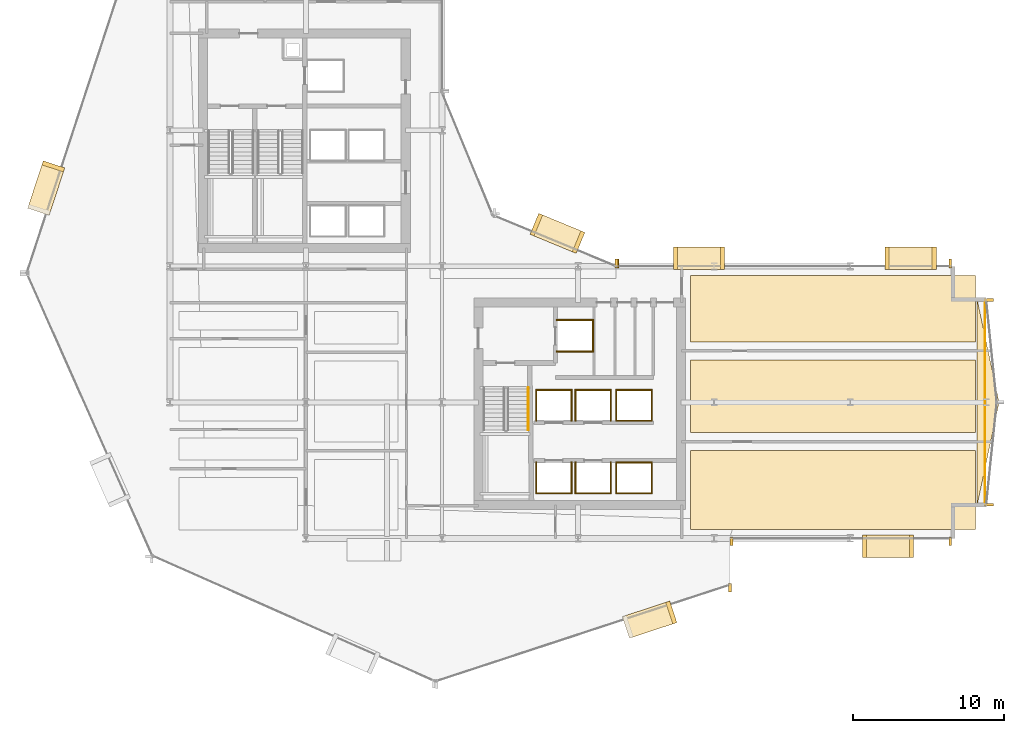
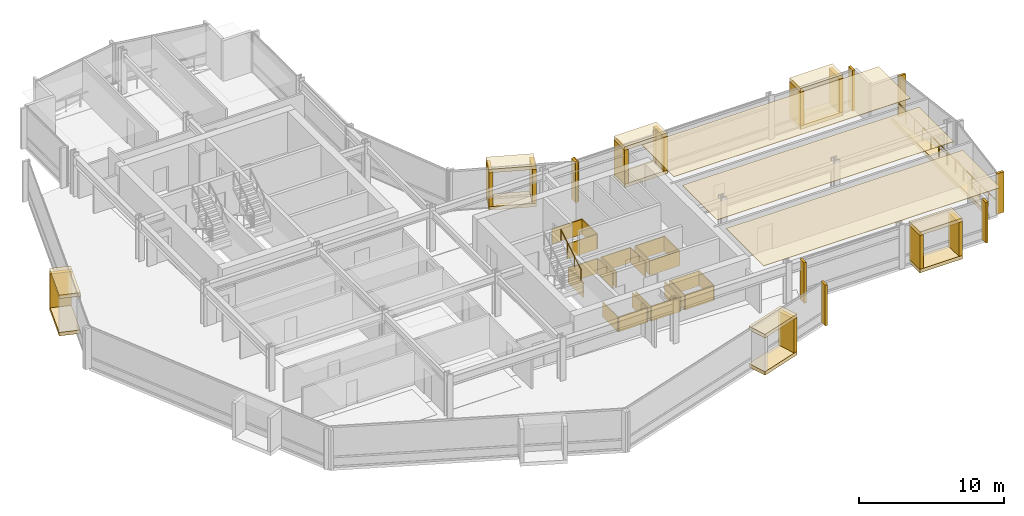
# One storey, part 32 of 34: 57 coverings, 2 railings.
"""IFC4 building model written with IfcOpenShell, lengths in metres."""

from ifc_helpers import new_model, si_unit, direction, frame, origin, origin_2d, place, context, subcontext, project, spatial, polyline, rectangle, circle, outline, extrude, material, layer, layer_set, type_object, element, save


model = new_model("IFC4")

# Units and contexts
model_context = context("Model", 3, precision=1e-05, world=origin(), true_north=direction((0.0, 1.0)))
body_context = subcontext(model_context, "Body", "Model", "MODEL_VIEW")
ifc_project = project(units=[si_unit("LENGTHUNIT", "METRE"), si_unit("AREAUNIT", "SQUARE_METRE"), si_unit("VOLUMEUNIT", "CUBIC_METRE"), si_unit("PLANEANGLEUNIT", "RADIAN"), si_unit("MASSUNIT", "GRAM", prefix="KILO")], contexts=[model_context])

# Site, building, storey
site_placement = place(None, origin())
site = spatial("IfcSite", under=ifc_project, at=site_placement, CompositionType="ELEMENT")
building_placement = place(site_placement, origin())
building = spatial("IfcBuilding", under=site, at=building_placement, Name="Solvaryn Broadcast Tower", CompositionType="ELEMENT")
storey_placement = place(building_placement, frame((0.0, 0.0, 43.39990234375)))
storey = spatial("IfcBuildingStorey", under=building, at=storey_placement, Name="L09", CompositionType="ELEMENT", Elevation=43.39990234375)

# Coverings
ifc_material_1 = material(Name="Micro-Perforated Acoustic Gypsum Ceiling", Category="concrete")
ifc_layer_1 = layer(ifc_material_1, 0.0400390625)
ifc_layer_set_1 = layer_set([ifc_layer_1], Name="CV-CEIL-ACOUSTIC")
covering_type_1 = type_object("IfcCoveringType", Name="CV-CEIL-ACOUSTIC", PredefinedType="CEILING", material=ifc_layer_set_1)
covering_1_placement = place(storey_placement, frame((0.0, 0.0, 3.380126953125)))
element("IfcCovering", 1, at=covering_1_placement, inside=storey, type_object=covering_type_1, Name="L09 Room Acoustic Ceiling 11", PredefinedType="CEILING", context=body_context, shape_type="SweptSolid", body=[
    extrude(outline(polyline([(43.449951171875, 9.60009765625), (62.300048828125, 9.60009765625), (62.300048828125, 14.800048828125), (43.449951171875, 14.800048828125), (43.449951171875, 9.60009765625)])), origin(), (0.0, 0.0, 1.0), 0.0400390625),
])
covering_2_placement = place(storey_placement, frame((0.0, 0.0, 3.380126953125)))
element("IfcCovering", 2, at=covering_2_placement, inside=storey, type_object=covering_type_1, Name="L09 Room Acoustic Ceiling 12", PredefinedType="CEILING", context=body_context, shape_type="SweptSolid", body=[
    extrude(outline(polyline([(43.449951171875, 16.0), (62.300048828125, 16.0), (62.300048828125, 20.800048828125), (43.449951171875, 20.800048828125), (43.449951171875, 16.0)])), origin(), (0.0, 0.0, 1.0), 0.0400390625),
])
covering_3_placement = place(storey_placement, frame((0.0, 0.0, 3.380126953125)))
element("IfcCovering", 3, at=covering_3_placement, inside=storey, type_object=covering_type_1, Name="L09 Room Acoustic Ceiling 13", PredefinedType="CEILING", context=body_context, shape_type="SweptSolid", body=[
    extrude(outline(polyline([(43.449951171875, 22.0), (62.300048828125, 22.0), (62.300048828125, 26.39990234375), (43.449951171875, 26.39990234375), (43.449951171875, 22.0)])), origin(), (0.0, 0.0, 1.0), 0.0400390625),
])
ifc_material_2 = material(Name="Fire-Rated Gypsum Shaftwall Liner", Category="concrete")
ifc_layer_2 = layer(ifc_material_2, 0.080078125)
ifc_layer_set_2 = layer_set([ifc_layer_2], Name="CV-SHAFT-LINER")
covering_type_2 = type_object("IfcCoveringType", Name="CV-SHAFT-LINER", PredefinedType="CLADDING", material=ifc_layer_set_2)
for number, where, z_axis, x_axis, name in (
    (4, (35.800048828125, 23.43994140625, 0.0), (0.0, 0.0, 1.0), (1.0, 0.0, 0.0), "L09 FL2 Hoistway Shaft Liner North"),
    (5, (35.800048828125, 21.360107421875, 0.0), (0.0, 0.0, 1.0), (1.0, 0.0, 0.0), "L09 FL2 Hoistway Shaft Liner South"),
):
    element("IfcCovering", number, at=place(storey_placement, frame(where, z_axis=z_axis, x_axis=x_axis)), inside=storey, type_object=covering_type_2, Name=name, PredefinedType="CLADDING", context=body_context, shape_type="SweptSolid", body=[
        extrude(rectangle(XDim=2.4599609375, YDim=0.080078125, at=origin_2d()), origin(), (0.0, 0.0, 1.0), 1.25),
    ])
covering_4_placement = place(storey_placement, frame((36.989990234375, 22.39990234375, 0.0), z_axis=(0.0, 0.0, 1.0), x_axis=(1.0, 0.0, 0.0)))
element("IfcCovering", 6, at=covering_4_placement, inside=storey, type_object=covering_type_2, Name="L09 FL2 Hoistway Shaft Liner East", PredefinedType="CLADDING", context=body_context, shape_type="SweptSolid", body=[
    extrude(rectangle(XDim=0.080078125, YDim=2.159912109375, at=origin_2d()), origin(), (0.0, 0.0, 1.0), 1.25),
])
covering_5_placement = place(storey_placement, frame((34.39990234375, 11.985107421875, 0.0), z_axis=(0.0, 0.0, 1.0), x_axis=(1.0, 0.0, 0.0)))
element("IfcCovering", 7, at=covering_5_placement, inside=storey, type_object=covering_type_2, Name="L09 PL1 Hoistway Shaft Liner South", PredefinedType="CLADDING", context=body_context, shape_type="SweptSolid", body=[
    extrude(rectangle(XDim=2.409912109375, YDim=0.080078125, at=origin_2d()), origin(), (0.0, 0.0, 1.0), 1.25),
])
for number, where, z_axis, x_axis, name in (
    (8, (35.56494140625, 13.0, 0.0), (0.0, 0.0, 1.0), (1.0, 0.0, 0.0), "L09 PL1 Hoistway Shaft Liner East"),
    (9, (33.235107421875, 13.0, 0.0), (0.0, 0.0, 1.0), (1.0, 0.0, 0.0), "L09 PL1 Hoistway Shaft Liner West"),
):
    element("IfcCovering", number, at=place(storey_placement, frame(where, z_axis=z_axis, x_axis=x_axis)), inside=storey, type_object=covering_type_2, Name=name, PredefinedType="CLADDING", context=body_context, shape_type="SweptSolid", body=[
        extrude(rectangle(XDim=0.080078125, YDim=2.110107421875, at=origin_2d()), origin(), (0.0, 0.0, 1.0), 1.25),
    ])
covering_6_placement = place(storey_placement, frame((37.0, 11.985107421875, 0.0), z_axis=(0.0, 0.0, 1.0), x_axis=(1.0, 0.0, 0.0)))
element("IfcCovering", 10, at=covering_6_placement, inside=storey, type_object=covering_type_2, Name="L09 PL2 Hoistway Shaft Liner South", PredefinedType="CLADDING", context=body_context, shape_type="SweptSolid", body=[
    extrude(rectangle(XDim=2.409912109375, YDim=0.080078125, at=origin_2d()), origin(), (0.0, 0.0, 1.0), 1.25),
])
for number, where, z_axis, x_axis, name in (
    (11, (38.1650390625, 13.0, 0.0), (0.0, 0.0, 1.0), (1.0, 0.0, 0.0), "L09 PL2 Hoistway Shaft Liner East"),
    (12, (35.8349609375, 13.0, 0.0), (0.0, 0.0, 1.0), (1.0, 0.0, 0.0), "L09 PL2 Hoistway Shaft Liner West"),
):
    element("IfcCovering", number, at=place(storey_placement, frame(where, z_axis=z_axis, x_axis=x_axis)), inside=storey, type_object=covering_type_2, Name=name, PredefinedType="CLADDING", context=body_context, shape_type="SweptSolid", body=[
        extrude(rectangle(XDim=0.080078125, YDim=2.110107421875, at=origin_2d()), origin(), (0.0, 0.0, 1.0), 1.25),
    ])
covering_7_placement = place(storey_placement, frame((34.39990234375, 18.81494140625, 0.0), z_axis=(0.0, 0.0, 1.0), x_axis=(1.0, 0.0, 0.0)))
element("IfcCovering", 13, at=covering_7_placement, inside=storey, type_object=covering_type_2, Name="L09 PL3 Hoistway Shaft Liner North", PredefinedType="CLADDING", context=body_context, shape_type="SweptSolid", body=[
    extrude(rectangle(XDim=2.409912109375, YDim=0.080078125, at=origin_2d()), origin(), (0.0, 0.0, 1.0), 1.25),
])
for number, where, z_axis, x_axis, name in (
    (14, (35.56494140625, 17.800048828125, 0.0), (0.0, 0.0, 1.0), (1.0, 0.0, 0.0), "L09 PL3 Hoistway Shaft Liner East"),
    (15, (33.235107421875, 17.800048828125, 0.0), (0.0, 0.0, 1.0), (1.0, 0.0, 0.0), "L09 PL3 Hoistway Shaft Liner West"),
):
    element("IfcCovering", number, at=place(storey_placement, frame(where, z_axis=z_axis, x_axis=x_axis)), inside=storey, type_object=covering_type_2, Name=name, PredefinedType="CLADDING", context=body_context, shape_type="SweptSolid", body=[
        extrude(rectangle(XDim=0.080078125, YDim=2.110107421875, at=origin_2d()), origin(), (0.0, 0.0, 1.0), 1.25),
    ])
covering_8_placement = place(storey_placement, frame((37.0, 18.81494140625, 0.0), z_axis=(0.0, 0.0, 1.0), x_axis=(1.0, 0.0, 0.0)))
element("IfcCovering", 16, at=covering_8_placement, inside=storey, type_object=covering_type_2, Name="L09 PL4 Hoistway Shaft Liner North", PredefinedType="CLADDING", context=body_context, shape_type="SweptSolid", body=[
    extrude(rectangle(XDim=2.409912109375, YDim=0.080078125, at=origin_2d()), origin(), (0.0, 0.0, 1.0), 1.25),
])
for number, where, z_axis, x_axis, name in (
    (17, (38.1650390625, 17.800048828125, 0.0), (0.0, 0.0, 1.0), (1.0, 0.0, 0.0), "L09 PL4 Hoistway Shaft Liner East"),
    (18, (35.8349609375, 17.800048828125, 0.0), (0.0, 0.0, 1.0), (1.0, 0.0, 0.0), "L09 PL4 Hoistway Shaft Liner West"),
):
    element("IfcCovering", number, at=place(storey_placement, frame(where, z_axis=z_axis, x_axis=x_axis)), inside=storey, type_object=covering_type_2, Name=name, PredefinedType="CLADDING", context=body_context, shape_type="SweptSolid", body=[
        extrude(rectangle(XDim=0.080078125, YDim=2.110107421875, at=origin_2d()), origin(), (0.0, 0.0, 1.0), 1.25),
    ])
for number, where, z_axis, x_axis, name in (
    (19, (39.699951171875, 14.014892578125, 0.0), (0.0, 0.0, 1.0), (1.0, 0.0, 0.0), "L09 PM1 Hoistway Shaft Liner North"),
    (20, (39.699951171875, 11.985107421875, 0.0), (0.0, 0.0, 1.0), (1.0, 0.0, 0.0), "L09 PM1 Hoistway Shaft Liner South"),
):
    element("IfcCovering", number, at=place(storey_placement, frame(where, z_axis=z_axis, x_axis=x_axis)), inside=storey, type_object=covering_type_2, Name=name, PredefinedType="CLADDING", context=body_context, shape_type="SweptSolid", body=[
        extrude(rectangle(XDim=2.409912109375, YDim=0.080078125, at=origin_2d()), origin(), (0.0, 0.0, 1.0), 1.25),
    ])
for number, where, z_axis, x_axis, name in (
    (21, (40.864990234375, 13.0, 0.0), (0.0, 0.0, 1.0), (1.0, 0.0, 0.0), "L09 PM1 Hoistway Shaft Liner East"),
    (22, (38.534912109375, 13.0, 0.0), (0.0, 0.0, 1.0), (1.0, 0.0, 0.0), "L09 PM1 Hoistway Shaft Liner West"),
):
    element("IfcCovering", number, at=place(storey_placement, frame(where, z_axis=z_axis, x_axis=x_axis)), inside=storey, type_object=covering_type_2, Name=name, PredefinedType="CLADDING", context=body_context, shape_type="SweptSolid", body=[
        extrude(rectangle(XDim=0.080078125, YDim=2.110107421875, at=origin_2d()), origin(), (0.0, 0.0, 1.0), 1.25),
    ])
for number, where, z_axis, x_axis, name in (
    (23, (39.699951171875, 18.81494140625, 0.0), (0.0, 0.0, 1.0), (1.0, 0.0, 0.0), "L09 PM2 Hoistway Shaft Liner North"),
    (24, (39.699951171875, 16.784912109375, 0.0), (0.0, 0.0, 1.0), (1.0, 0.0, 0.0), "L09 PM2 Hoistway Shaft Liner South"),
):
    element("IfcCovering", number, at=place(storey_placement, frame(where, z_axis=z_axis, x_axis=x_axis)), inside=storey, type_object=covering_type_2, Name=name, PredefinedType="CLADDING", context=body_context, shape_type="SweptSolid", body=[
        extrude(rectangle(XDim=2.409912109375, YDim=0.080078125, at=origin_2d()), origin(), (0.0, 0.0, 1.0), 1.25),
    ])
for number, where, z_axis, x_axis, name in (
    (25, (40.864990234375, 17.800048828125, 0.0), (0.0, 0.0, 1.0), (1.0, 0.0, 0.0), "L09 PM2 Hoistway Shaft Liner East"),
    (26, (38.534912109375, 17.800048828125, 0.0), (0.0, 0.0, 1.0), (1.0, 0.0, 0.0), "L09 PM2 Hoistway Shaft Liner West"),
):
    element("IfcCovering", number, at=place(storey_placement, frame(where, z_axis=z_axis, x_axis=x_axis)), inside=storey, type_object=covering_type_2, Name=name, PredefinedType="CLADDING", context=body_context, shape_type="SweptSolid", body=[
        extrude(rectangle(XDim=0.080078125, YDim=2.110107421875, at=origin_2d()), origin(), (0.0, 0.0, 1.0), 1.25),
    ])
ifc_material_3 = material(Name="Glazed Architectural Terracotta Rainscreen Cladding", Category="masonry")
ifc_layer_3 = layer(ifc_material_3, 0.280029296875)
ifc_layer_set_3 = layer_set([ifc_layer_3], Name="CV-TC-CLAD")
covering_type_3 = type_object("IfcCoveringType", Name="CV-TC-CLAD", PredefinedType="CLADDING", material=ifc_layer_set_3)
for number, where, z_axis, x_axis, name in (
    (27, (0.819091796875, 32.173095703125, 3.1298828125), (0.0, 0.0, 1.0), (-0.311671636848, -0.950189870912, 0.0), "L09 Projecting Stone Window Box Hood 1"),
    (28, (0.819091796875, 32.173095703125, -0.009765625), (0.0, 0.0, 1.0), (-0.311671636848, -0.950189870912, 0.0), "L09 Projecting Stone Window Box Sill 1"),
):
    element("IfcCovering", number, at=place(storey_placement, frame(where, z_axis=z_axis, x_axis=x_axis)), inside=storey, type_object=covering_type_3, Name=name, PredefinedType="CLADDING", context=body_context, shape_type="SweptSolid", body=[
        extrude(rectangle(XDim=3.300048828125, YDim=1.5, at=origin_2d()), origin(), (0.0, 0.0, 1.0), 0.300048828125),
    ])
covering_9_placement = place(storey_placement, frame((1.28955078125, 33.60791015625, 0.2802734375), z_axis=(0.0, 0.0, 1.0), x_axis=(-0.311671636848, -0.950189870912, 0.0)))
element("IfcCovering", 29, at=covering_9_placement, inside=storey, type_object=covering_type_3, Name="L09 Projecting Stone Window Box Cheek 1-1", PredefinedType="CLADDING", context=body_context, shape_type="SweptSolid", body=[
    extrude(rectangle(XDim=0.280029296875, YDim=1.5, at=origin_2d()), origin(), (0.0, 0.0, 1.0), 2.860107421875),
])
for number, where, z_axis, x_axis, name in (
    (30, (40.73291015625, 3.6259765625, 3.1298828125), (0.0, 0.0, 1.0), (0.950189870912, 0.311671636848, 0.0), "L09 Projecting Stone Window Box Hood 4"),
    (31, (40.73291015625, 3.6259765625, -0.009765625), (0.0, 0.0, 1.0), (0.950189870912, 0.311671636848, 0.0), "L09 Projecting Stone Window Box Sill 4"),
):
    element("IfcCovering", number, at=place(storey_placement, frame(where, z_axis=z_axis, x_axis=x_axis)), inside=storey, type_object=covering_type_3, Name=name, PredefinedType="CLADDING", context=body_context, shape_type="SweptSolid", body=[
        extrude(rectangle(XDim=3.300048828125, YDim=1.5, at=origin_2d()), origin(), (0.0, 0.0, 1.0), 0.300048828125),
    ])
covering_10_placement = place(storey_placement, frame((42.167724609375, 4.0966796875, 0.2802734375), z_axis=(0.0, 0.0, 1.0), x_axis=(0.950189870912, 0.311671636848, 0.0)))
element("IfcCovering", 32, at=covering_10_placement, inside=storey, type_object=covering_type_3, Name="L09 Projecting Stone Window Box Cheek 4-2", PredefinedType="CLADDING", context=body_context, shape_type="SweptSolid", body=[
    extrude(rectangle(XDim=0.280029296875, YDim=1.5, at=origin_2d()), origin(), (0.0, 0.0, 1.0), 2.860107421875),
])
for number, where, z_axis, x_axis, name in (
    (33, (34.636962890625, 29.174072265625, 3.1298828125), (0.0, 0.0, 1.0), (-0.923879532511, 0.382683432365, 0.0), "L09 Projecting Stone Window Box Hood 5"),
    (34, (34.636962890625, 29.174072265625, -0.009765625), (0.0, 0.0, 1.0), (-0.923879532511, 0.382683432365, 0.0), "L09 Projecting Stone Window Box Sill 5"),
):
    element("IfcCovering", number, at=place(storey_placement, frame(where, z_axis=z_axis, x_axis=x_axis)), inside=storey, type_object=covering_type_3, Name=name, PredefinedType="CLADDING", context=body_context, shape_type="SweptSolid", body=[
        extrude(rectangle(XDim=3.300048828125, YDim=1.5, at=origin_2d()), origin(), (0.0, 0.0, 1.0), 0.300048828125),
    ])
for number, where, z_axis, x_axis, name in (
    (35, (36.031982421875, 28.59619140625, 0.2802734375), (0.0, 0.0, 1.0), (-0.923879532511, 0.382683432365, 0.0), "L09 Projecting Stone Window Box Cheek 5-1"),
    (36, (33.241943359375, 29.751953125, 0.2802734375), (0.0, 0.0, 1.0), (-0.923879532511, 0.382683432365, 0.0), "L09 Projecting Stone Window Box Cheek 5-2"),
):
    element("IfcCovering", number, at=place(storey_placement, frame(where, z_axis=z_axis, x_axis=x_axis)), inside=storey, type_object=covering_type_3, Name=name, PredefinedType="CLADDING", context=body_context, shape_type="SweptSolid", body=[
        extrude(rectangle(XDim=0.280029296875, YDim=1.5, at=origin_2d()), origin(), (0.0, 0.0, 1.0), 2.860107421875),
    ])
for number, where, z_axis, x_axis, name in (
    (37, (56.5, 8.469970703125, 3.1298828125), (0.0, 0.0, 1.0), (1.0, 0.0, 0.0), "L09 Projecting Stone Window Box Hood 6"),
    (38, (56.5, 8.469970703125, -0.009765625), (0.0, 0.0, 1.0), (1.0, 0.0, 0.0), "L09 Projecting Stone Window Box Sill 6"),
):
    element("IfcCovering", number, at=place(storey_placement, frame(where, z_axis=z_axis, x_axis=x_axis)), inside=storey, type_object=covering_type_3, Name=name, PredefinedType="CLADDING", context=body_context, shape_type="SweptSolid", body=[
        extrude(rectangle(XDim=3.39990234375, YDim=1.5, at=origin_2d()), origin(), (0.0, 0.0, 1.0), 0.300048828125),
    ])
for number, where, z_axis, x_axis, name in (
    (39, (54.93994140625, 8.469970703125, 0.2802734375), (0.0, 0.0, 1.0), (1.0, 0.0, 0.0), "L09 Projecting Stone Window Box Cheek 6-1"),
    (40, (58.06005859375, 8.469970703125, 0.2802734375), (0.0, 0.0, 1.0), (1.0, 0.0, 0.0), "L09 Projecting Stone Window Box Cheek 6-2"),
):
    element("IfcCovering", number, at=place(storey_placement, frame(where, z_axis=z_axis, x_axis=x_axis)), inside=storey, type_object=covering_type_3, Name=name, PredefinedType="CLADDING", context=body_context, shape_type="SweptSolid", body=[
        extrude(rectangle(XDim=0.280029296875, YDim=1.5, at=origin_2d()), origin(), (0.0, 0.0, 1.0), 2.860107421875),
    ])
for number, where, z_axis, x_axis, name in (
    (41, (44.0, 27.530029296875, 3.1298828125), (0.0, 0.0, 1.0), (1.0, 0.0, 0.0), "L09 Projecting Stone Window Box Hood 7"),
    (42, (44.0, 27.530029296875, -0.009765625), (0.0, 0.0, 1.0), (1.0, 0.0, 0.0), "L09 Projecting Stone Window Box Sill 7"),
):
    element("IfcCovering", number, at=place(storey_placement, frame(where, z_axis=z_axis, x_axis=x_axis)), inside=storey, type_object=covering_type_3, Name=name, PredefinedType="CLADDING", context=body_context, shape_type="SweptSolid", body=[
        extrude(rectangle(XDim=3.39990234375, YDim=1.5, at=origin_2d()), origin(), (0.0, 0.0, 1.0), 0.300048828125),
    ])
for number, where, z_axis, x_axis, name in (
    (43, (42.43994140625, 27.530029296875, 0.2802734375), (0.0, 0.0, 1.0), (1.0, 0.0, 0.0), "L09 Projecting Stone Window Box Cheek 7-1"),
    (44, (45.56005859375, 27.530029296875, 0.2802734375), (0.0, 0.0, 1.0), (1.0, 0.0, 0.0), "L09 Projecting Stone Window Box Cheek 7-2"),
):
    element("IfcCovering", number, at=place(storey_placement, frame(where, z_axis=z_axis, x_axis=x_axis)), inside=storey, type_object=covering_type_3, Name=name, PredefinedType="CLADDING", context=body_context, shape_type="SweptSolid", body=[
        extrude(rectangle(XDim=0.280029296875, YDim=1.5, at=origin_2d()), origin(), (0.0, 0.0, 1.0), 2.860107421875),
    ])
for number, where, z_axis, x_axis, name in (
    (45, (58.0, 27.530029296875, 3.1298828125), (0.0, 0.0, 1.0), (1.0, 0.0, 0.0), "L09 Projecting Stone Window Box Hood 8"),
    (46, (58.0, 27.530029296875, -0.009765625), (0.0, 0.0, 1.0), (1.0, 0.0, 0.0), "L09 Projecting Stone Window Box Sill 8"),
):
    element("IfcCovering", number, at=place(storey_placement, frame(where, z_axis=z_axis, x_axis=x_axis)), inside=storey, type_object=covering_type_3, Name=name, PredefinedType="CLADDING", context=body_context, shape_type="SweptSolid", body=[
        extrude(rectangle(XDim=3.39990234375, YDim=1.5, at=origin_2d()), origin(), (0.0, 0.0, 1.0), 0.300048828125),
    ])
for number, where, z_axis, x_axis, name in (
    (47, (56.43994140625, 27.530029296875, 0.2802734375), (0.0, 0.0, 1.0), (1.0, 0.0, 0.0), "L09 Projecting Stone Window Box Cheek 8-1"),
    (48, (59.56005859375, 27.530029296875, 0.2802734375), (0.0, 0.0, 1.0), (1.0, 0.0, 0.0), "L09 Projecting Stone Window Box Cheek 8-2"),
):
    element("IfcCovering", number, at=place(storey_placement, frame(where, z_axis=z_axis, x_axis=x_axis)), inside=storey, type_object=covering_type_3, Name=name, PredefinedType="CLADDING", context=body_context, shape_type="SweptSolid", body=[
        extrude(rectangle(XDim=0.280029296875, YDim=1.5, at=origin_2d()), origin(), (0.0, 0.0, 1.0), 2.860107421875),
    ])
ifc_material_4 = material(Name="Extruded Architectural Terracotta Fin", Category="masonry")
ifc_layer_4 = layer(ifc_material_4, 0.179931640625)
ifc_layer_set_4 = layer_set([ifc_layer_4], Name="CV-TC-FIN")
covering_type_4 = type_object("IfcCoveringType", Name="CV-TC-FIN", PredefinedType="USERDEFINED", material=ifc_layer_set_4)
for number, where, z_axis, x_axis, name in (
    (49, (46.043701171875, 5.735595703125, 0.000244140625), (0.0, 0.0, 1.0), (1.0, 0.0, 0.0), "L09 Terracotta Vertical Fin FIN-L09-DR4-M01"),
    (50, (38.541259765625, 27.177978515625, 0.000244140625), (0.0, 0.0, 1.0), (1.0, 0.0, 0.0), "L09 Terracotta Vertical Fin FIN-L09-CN1-M00"),
    (51, (46.14599609375, 8.8125, 0.000244140625), (0.0, 0.0, 1.0), (1.0, 0.0, 0.0), "L09 Terracotta Vertical Fin FIN-L09-S2-M00"),
    (52, (60.6201171875, 8.8125, 0.000244140625), (0.0, 0.0, 1.0), (1.0, 0.0, 0.0), "L09 Terracotta Vertical Fin FIN-L09-S2-M01"),
):
    element("IfcCovering", number, at=place(storey_placement, frame(where, z_axis=z_axis, x_axis=x_axis)), inside=storey, type_object=covering_type_4, Name=name, ObjectType="FIN", PredefinedType="USERDEFINED", context=body_context, shape_type="SweptSolid", body=[
        extrude(rectangle(XDim=0.179931640625, YDim=0.580078125, at=origin_2d()), origin(), (0.0, 0.0, 1.0), 3.419921875),
    ])
for number, where, z_axis, x_axis, name in (
    (53, (63.190673828125, 24.770263671875, 0.000244140625), (0.0, 0.0, 1.0), (1.0, 0.0, 0.0), "L09 Terracotta Vertical Fin FIN-L09-ET1-M00"),
    (54, (63.190673828125, 11.229736328125, 0.000244140625), (0.0, 0.0, 1.0), (1.0, 0.0, 0.0), "L09 Terracotta Vertical Fin FIN-L09-ET2-M01"),
):
    element("IfcCovering", number, at=place(storey_placement, frame(where, z_axis=z_axis, x_axis=x_axis)), inside=storey, type_object=covering_type_4, Name=name, ObjectType="FIN", PredefinedType="USERDEFINED", context=body_context, shape_type="SweptSolid", body=[
        extrude(rectangle(XDim=0.580078125, YDim=0.179931640625, at=origin_2d()), origin(), (0.0, 0.0, 1.0), 3.419921875),
    ])
for number, where, z_axis, x_axis, name in (
    (55, (38.6298828125, 27.1875, 0.000244140625), (0.0, 0.0, 1.0), (1.0, 0.0, 0.0), "L09 Terracotta Vertical Fin FIN-L09-IH-M00"),
    (56, (60.6201171875, 27.1875, 0.000244140625), (0.0, 0.0, 1.0), (1.0, 0.0, 0.0), "L09 Terracotta Vertical Fin FIN-L09-IH-M01"),
):
    element("IfcCovering", number, at=place(storey_placement, frame(where, z_axis=z_axis, x_axis=x_axis)), inside=storey, type_object=covering_type_4, Name=name, ObjectType="FIN", PredefinedType="USERDEFINED", context=body_context, shape_type="SweptSolid", body=[
        extrude(rectangle(XDim=0.179931640625, YDim=0.580078125, at=origin_2d()), origin(), (0.0, 0.0, 1.0), 3.419921875),
    ])
ifc_material_5 = material(Name="Sculpted Architectural Terracotta Wave Fascia", Category="masonry")
ifc_layer_5 = layer(ifc_material_5, 0.340087890625)
ifc_layer_set_5 = layer_set([ifc_layer_5], Name="CV-WAVE-TRAY")
covering_type_5 = type_object("IfcCoveringType", Name="CV-WAVE-TRAY", PredefinedType="CLADDING", material=ifc_layer_set_5)
covering_11_placement = place(storey_placement, frame((0.0, 0.0, -0.2998046875)))
element("IfcCovering", 57, at=covering_11_placement, inside=storey, type_object=covering_type_5, Name="L09 East Curved Wing Deck", PredefinedType="CLADDING", context=body_context, shape_type="SweptSolid", body=[
    extrude(outline(polyline([(62.39990234375, 11.199951171875), (63.85009765625, 18.0), (62.39990234375, 24.800048828125), (62.39990234375, 11.199951171875)])), origin(), (0.0, 0.0, 1.0), 0.329833984375),
])

# Railings
ifc_material_6 = material(Name="Brushed Stainless Steel Tubular Handrail", Category="steel")
railing_type_1 = type_object("IfcRailingType", Name="RL-STAIR-HANDRAIL", PredefinedType="HANDRAIL", material=ifc_material_6)
railing_1_placement = place(storey_placement, frame((32.699951171875, 16.159912109375, 2.018310546875)))
element("IfcRailing", 58, at=railing_1_placement, inside=storey, type_object=railing_type_1, Name="L09 ST3 stair handrail 2", PredefinedType="HANDRAIL", context=body_context, shape_type="SweptSolid", body=[
    extrude(circle(Radius=0.02392578125, at=origin_2d()), frame((0.0, 0.0, 0.8759765625), z_axis=(0.0, 0.857242210791, 0.514913383045), x_axis=(-1.0, 0.0, 0.0)), (0.0, 0.0, 1.0), 3.266357421875),
    extrude(circle(Radius=0.02099609375, at=origin_2d()), origin(), (0.0, 0.0, 1.0), 0.851806640625),
    extrude(circle(Radius=0.02099609375, at=origin_2d()), frame((0.0, 0.933349609375, 0.560546875)), (0.0, 0.0, 1.0), 0.851806640625),
    extrude(circle(Radius=0.02099609375, at=origin_2d()), frame((0.0, 1.86669921875, 1.121337890625)), (0.0, 0.0, 1.0), 0.851806640625),
    extrude(circle(Radius=0.02099609375, at=origin_2d()), frame((0.0, 2.800048828125, 1.681884765625)), (0.0, 0.0, 1.0), 0.851806640625),
])
ifc_material_7 = material(Name="Stainless Steel and Laminated Glass Guard", Category="steel")
railing_type_2 = type_object("IfcRailingType", Name="RL-TER-1150", PredefinedType="BALUSTRADE", material=ifc_material_7)
railing_2_placement = place(storey_placement, frame((62.919921875, 11.199951171875, 0.0)))
element("IfcRailing", 59, at=railing_2_placement, inside=storey, type_object=railing_type_2, Name="L09 East Wing Spandrel Edge Guard", PredefinedType="BALUSTRADE", context=body_context, shape_type="SweptSolid", body=[
    extrude(circle(Radius=0.02392578125, at=origin_2d()), frame((0.0, 0.0, 1.1259765625), z_axis=(0.0, 1.0, 0.0), x_axis=(-1.0, 0.0, 0.0)), (0.0, 0.0, 1.0), 13.60009765625),
    extrude(circle(Radius=0.02099609375, at=origin_2d()), origin(), (0.0, 0.0, 1.0), 1.101806640625),
    extrude(circle(Radius=0.02099609375, at=origin_2d()), frame((0.0, 1.13330078125, 0.0)), (0.0, 0.0, 1.0), 1.101806640625),
    extrude(circle(Radius=0.02099609375, at=origin_2d()), frame((0.0, 2.2666015625, 0.0)), (0.0, 0.0, 1.0), 1.101806640625),
    extrude(circle(Radius=0.02099609375, at=origin_2d()), frame((0.0, 3.39990234375, 0.0)), (0.0, 0.0, 1.0), 1.101806640625),
    extrude(circle(Radius=0.02099609375, at=origin_2d()), frame((0.0, 4.533447265625, 0.0)), (0.0, 0.0, 1.0), 1.101806640625),
    extrude(circle(Radius=0.02099609375, at=origin_2d()), frame((0.0, 5.666748046875, 0.0)), (0.0, 0.0, 1.0), 1.101806640625),
    extrude(circle(Radius=0.02099609375, at=origin_2d()), frame((0.0, 6.800048828125, 0.0)), (0.0, 0.0, 1.0), 1.101806640625),
    extrude(circle(Radius=0.02099609375, at=origin_2d()), frame((0.0, 7.933349609375, 0.0)), (0.0, 0.0, 1.0), 1.101806640625),
    extrude(circle(Radius=0.02099609375, at=origin_2d()), frame((0.0, 9.066650390625, 0.0)), (0.0, 0.0, 1.0), 1.101806640625),
    extrude(circle(Radius=0.02099609375, at=origin_2d()), frame((0.0, 10.2001953125, 0.0)), (0.0, 0.0, 1.0), 1.101806640625),
    extrude(circle(Radius=0.02099609375, at=origin_2d()), frame((0.0, 11.33349609375, 0.0)), (0.0, 0.0, 1.0), 1.101806640625),
    extrude(circle(Radius=0.02099609375, at=origin_2d()), frame((0.0, 12.466796875, 0.0)), (0.0, 0.0, 1.0), 1.101806640625),
    extrude(circle(Radius=0.02099609375, at=origin_2d()), frame((0.0, 13.60009765625, 0.0)), (0.0, 0.0, 1.0), 1.101806640625),
])

save(model, "model.ifc")
